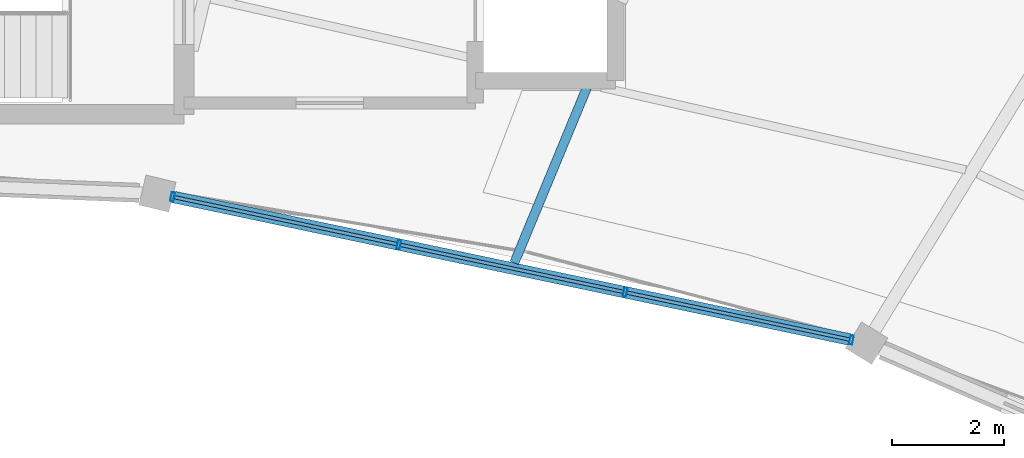
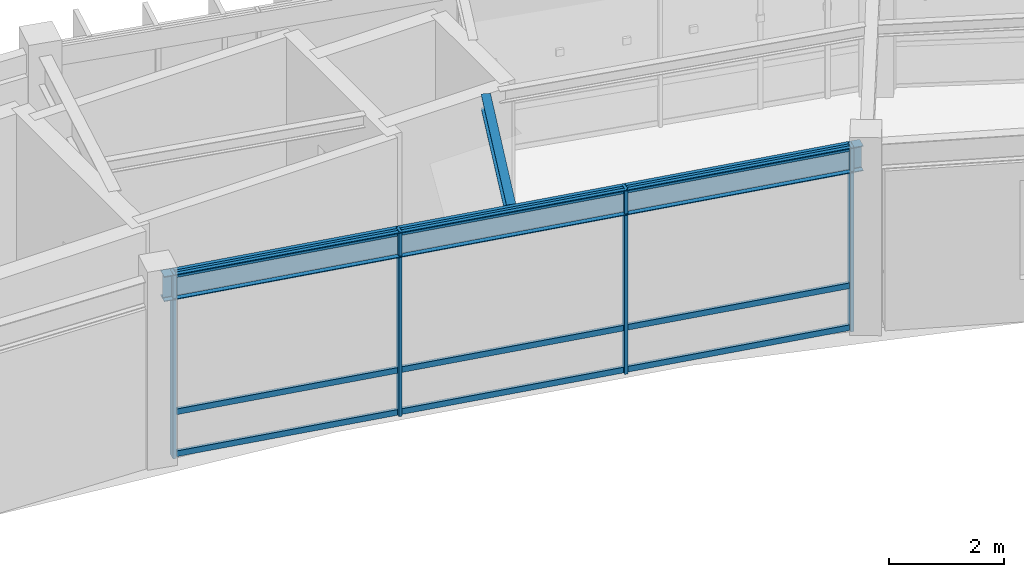
# One storey, part 46 of 83: 13 members, 2 beams, 1 element without a shape of its own.
"""IFC4 building model written with IfcOpenShell, lengths in metres."""

from ifc_helpers import new_model, si_unit, direction, frame, origin, origin_2d, place, context, subcontext, project, spatial, hollow_rectangle, i_section, extrude, material, material_profile, profile_set, type_object, element, aggregate, save


model = new_model("IFC4")

# Units and contexts
model_context = context("Model", 3, precision=1e-05, world=origin(), true_north=direction((0.0, 1.0)))
body_context = subcontext(model_context, "Body", "Model", "MODEL_VIEW")
ifc_project = project(units=[si_unit("LENGTHUNIT", "METRE"), si_unit("AREAUNIT", "SQUARE_METRE"), si_unit("VOLUMEUNIT", "CUBIC_METRE"), si_unit("PLANEANGLEUNIT", "RADIAN"), si_unit("MASSUNIT", "GRAM", prefix="KILO"), si_unit("THERMODYNAMICTEMPERATUREUNIT", "KELVIN"), si_unit("POWERUNIT", "WATT")], contexts=[model_context])

# Site, building, storey
site_placement = place(None, origin())
site = spatial("IfcSite", under=ifc_project, at=site_placement, CompositionType="ELEMENT")
building_placement = place(site_placement, origin())
building = spatial("IfcBuilding", under=site, at=building_placement, Name="Darbajah Civic Hall", CompositionType="ELEMENT")
storey_placement = place(building_placement, frame((0.0, 0.0, 18.0)))
storey = spatial("IfcBuildingStorey", under=building, at=storey_placement, Name="L04", CompositionType="ELEMENT", Elevation=18.0)

# Curtain wall, members
ifc_material_1 = material(Name="Anodised Bronze Aluminium and Low-E Glazing", Category="aluminium")
curtain_wall_type = type_object("IfcCurtainWallType", Name="Unitised Curtain Wall CW-65 12400x3900", PredefinedType="USERDEFINED", material=ifc_material_1)
curtain_wall_placement = place(storey_placement, origin())
curtain_wall = element("IfcCurtainWall", 1, at=curtain_wall_placement, inside=storey, type_object=curtain_wall_type, Name="L04 unitised curtain wall CW-V1I-L04-03", ObjectType="UNITISED CURTAIN WALL", PredefinedType="USERDEFINED")
ifc_material_2 = material(Name="Anodised Bronze Aluminium", Category="aluminium")
ifc_material_profile_1 = material_profile(ifc_material_2, hollow_rectangle(XDim=0.06005859375, YDim=0.159912109375, WallThickness=0.00341796875, at=origin_2d()), Name="ALU MULLION 60x160")
ifc_profile_set_1 = profile_set([ifc_material_profile_1], Name="Anodised Bronze Aluminium")
member_type_1 = type_object("IfcMemberType", Name="ALU MULLION 60x160", PredefinedType="MULLION", material=ifc_profile_set_1)
member_1_placement = place(storey_placement, frame((111.71435546875, 108.87109375, 0.0), z_axis=(0.0, 0.0, 1.0), x_axis=(-0.978472980779, 0.206374964291, 0.0)))
member_1 = element("IfcMember", 2, at=member_1_placement, type_object=member_type_1, Name="CW-V1I-L04-03 mullion 1", PredefinedType="MULLION", context=body_context, shape_type="SweptSolid", body=[
    extrude(hollow_rectangle(XDim=0.06005859375, YDim=0.159912109375, WallThickness=0.00341796875, at=origin_2d()), origin(), (0.0, 0.0, 1.0), 3.919921875),
])
member_2_placement = place(storey_placement, frame((107.6748046875, 109.722900390625, 0.0), z_axis=(0.0, 0.0, 1.0), x_axis=(-0.978472980779, 0.206374964291, 0.0)))
member_2 = element("IfcMember", 3, at=member_2_placement, type_object=member_type_1, Name="CW-V1I-L04-03 mullion 2", PredefinedType="MULLION", context=body_context, shape_type="SweptSolid", body=[
    extrude(hollow_rectangle(XDim=0.06005859375, YDim=0.159912109375, WallThickness=0.00341796875, at=origin_2d()), origin(), (0.0, 0.0, 1.0), 3.919921875),
])
member_3_placement = place(storey_placement, frame((103.635498046875, 110.57470703125, 0.0), z_axis=(0.0, 0.0, 1.0), x_axis=(-0.978472980779, 0.206374964291, 0.0)))
member_3 = element("IfcMember", 4, at=member_3_placement, type_object=member_type_1, Name="CW-V1I-L04-03 mullion 3", PredefinedType="MULLION", context=body_context, shape_type="SweptSolid", body=[
    extrude(hollow_rectangle(XDim=0.06005859375, YDim=0.159912109375, WallThickness=0.00341796875, at=origin_2d()), origin(), (0.0, 0.0, 1.0), 3.919921875),
])
member_4_placement = place(storey_placement, frame((99.595947265625, 111.426513671875, 0.0), z_axis=(0.0, 0.0, 1.0), x_axis=(-0.978472980779, 0.206374964291, 0.0)))
member_4 = element("IfcMember", 5, at=member_4_placement, type_object=member_type_1, Name="CW-V1I-L04-03 mullion 4", PredefinedType="MULLION", context=body_context, shape_type="SweptSolid", body=[
    extrude(hollow_rectangle(XDim=0.06005859375, YDim=0.159912109375, WallThickness=0.00341796875, at=origin_2d()), origin(), (0.0, 0.0, 1.0), 3.919921875),
])
ifc_material_profile_2 = material_profile(ifc_material_2, hollow_rectangle(XDim=0.06005859375, YDim=0.1201171875, WallThickness=0.003173828125, at=origin_2d()), Name="ALU TRANSOM 60x120")
ifc_profile_set_2 = profile_set([ifc_material_profile_2], Name="Anodised Bronze Aluminium")
member_type_2 = type_object("IfcMemberType", Name="ALU TRANSOM 60x120", PredefinedType="USERDEFINED", material=ifc_profile_set_2)
member_5_placement = place(storey_placement, frame((111.68017578125, 108.87841796875, 0.06005859375), z_axis=(-0.978482077731, 0.20633182876, 0.0), x_axis=(-0.20633182876, -0.978482077731, 0.0)))
member_5 = element("IfcMember", 6, at=member_5_placement, type_object=member_type_2, Name="CW-V1I-L04-03 transom 1.1", ObjectType="TRANSOM", PredefinedType="USERDEFINED", context=body_context, shape_type="SweptSolid", body=[
    extrude(hollow_rectangle(XDim=0.06005859375, YDim=0.1201171875, WallThickness=0.003173828125, at=origin_2d()), origin(), (0.0, 0.0, 1.0), 4.05859375),
])
member_6_placement = place(storey_placement, frame((111.68017578125, 108.87841796875, 0.949951171875), z_axis=(-0.978482077731, 0.20633182876, 0.0), x_axis=(-0.20633182876, -0.978482077731, 0.0)))
member_6 = element("IfcMember", 7, at=member_6_placement, type_object=member_type_2, Name="CW-V1I-L04-03 transom 1.2", ObjectType="TRANSOM", PredefinedType="USERDEFINED", context=body_context, shape_type="SweptSolid", body=[
    extrude(hollow_rectangle(XDim=0.06005859375, YDim=0.1201171875, WallThickness=0.003173828125, at=origin_2d()), origin(), (0.0, 0.0, 1.0), 4.05859375),
])
member_7_placement = place(storey_placement, frame((111.68017578125, 108.87841796875, 3.860107421875), z_axis=(-0.978482077731, 0.20633182876, 0.0), x_axis=(-0.20633182876, -0.978482077731, 0.0)))
member_7 = element("IfcMember", 8, at=member_7_placement, type_object=member_type_2, Name="CW-V1I-L04-03 transom 1.3", ObjectType="TRANSOM", PredefinedType="USERDEFINED", context=body_context, shape_type="SweptSolid", body=[
    extrude(hollow_rectangle(XDim=0.06005859375, YDim=0.1201171875, WallThickness=0.003173828125, at=origin_2d()), origin(), (0.0, 0.0, 1.0), 4.05859375),
])
member_8_placement = place(storey_placement, frame((107.640625, 109.730224609375, 0.06005859375), z_axis=(-0.978491661211, 0.20628637604, 0.0), x_axis=(-0.20628637604, -0.978491661211, 0.0)))
member_8 = element("IfcMember", 9, at=member_8_placement, type_object=member_type_2, Name="CW-V1I-L04-03 transom 2.1", ObjectType="TRANSOM", PredefinedType="USERDEFINED", context=body_context, shape_type="SweptSolid", body=[
    extrude(hollow_rectangle(XDim=0.06005859375, YDim=0.1201171875, WallThickness=0.003173828125, at=origin_2d()), origin(), (0.0, 0.0, 1.0), 4.058349609375),
])
member_9_placement = place(storey_placement, frame((107.640625, 109.730224609375, 0.949951171875), z_axis=(-0.978491661211, 0.20628637604, 0.0), x_axis=(-0.20628637604, -0.978491661211, 0.0)))
member_9 = element("IfcMember", 10, at=member_9_placement, type_object=member_type_2, Name="CW-V1I-L04-03 transom 2.2", ObjectType="TRANSOM", PredefinedType="USERDEFINED", context=body_context, shape_type="SweptSolid", body=[
    extrude(hollow_rectangle(XDim=0.06005859375, YDim=0.1201171875, WallThickness=0.003173828125, at=origin_2d()), origin(), (0.0, 0.0, 1.0), 4.058349609375),
])
member_10_placement = place(storey_placement, frame((107.640625, 109.730224609375, 3.860107421875), z_axis=(-0.978491661211, 0.20628637604, 0.0), x_axis=(-0.20628637604, -0.978491661211, 0.0)))
member_10 = element("IfcMember", 11, at=member_10_placement, type_object=member_type_2, Name="CW-V1I-L04-03 transom 2.3", ObjectType="TRANSOM", PredefinedType="USERDEFINED", context=body_context, shape_type="SweptSolid", body=[
    extrude(hollow_rectangle(XDim=0.06005859375, YDim=0.1201171875, WallThickness=0.003173828125, at=origin_2d()), origin(), (0.0, 0.0, 1.0), 4.058349609375),
])
member_11_placement = place(storey_placement, frame((103.601318359375, 110.58203125, 0.06005859375), z_axis=(-0.978482077731, 0.20633182876, 0.0), x_axis=(-0.20633182876, -0.978482077731, 0.0)))
member_11 = element("IfcMember", 12, at=member_11_placement, type_object=member_type_2, Name="CW-V1I-L04-03 transom 3.1", ObjectType="TRANSOM", PredefinedType="USERDEFINED", context=body_context, shape_type="SweptSolid", body=[
    extrude(hollow_rectangle(XDim=0.06005859375, YDim=0.1201171875, WallThickness=0.003173828125, at=origin_2d()), origin(), (0.0, 0.0, 1.0), 4.05859375),
])
member_12_placement = place(storey_placement, frame((103.601318359375, 110.58203125, 0.949951171875), z_axis=(-0.978482077731, 0.20633182876, 0.0), x_axis=(-0.20633182876, -0.978482077731, 0.0)))
member_12 = element("IfcMember", 13, at=member_12_placement, type_object=member_type_2, Name="CW-V1I-L04-03 transom 3.2", ObjectType="TRANSOM", PredefinedType="USERDEFINED", context=body_context, shape_type="SweptSolid", body=[
    extrude(hollow_rectangle(XDim=0.06005859375, YDim=0.1201171875, WallThickness=0.003173828125, at=origin_2d()), origin(), (0.0, 0.0, 1.0), 4.05859375),
])
member_13_placement = place(storey_placement, frame((103.601318359375, 110.58203125, 3.860107421875), z_axis=(-0.978482077731, 0.20633182876, 0.0), x_axis=(-0.20633182876, -0.978482077731, 0.0)))
member_13 = element("IfcMember", 14, at=member_13_placement, type_object=member_type_2, Name="CW-V1I-L04-03 transom 3.3", ObjectType="TRANSOM", PredefinedType="USERDEFINED", context=body_context, shape_type="SweptSolid", body=[
    extrude(hollow_rectangle(XDim=0.06005859375, YDim=0.1201171875, WallThickness=0.003173828125, at=origin_2d()), origin(), (0.0, 0.0, 1.0), 4.05859375),
])
aggregate(curtain_wall, [member_1, member_2, member_3, member_4, member_5, member_6, member_7, member_8, member_9, member_10, member_11, member_12, member_13])

# Beams
ifc_material_3 = material(Name="Steel S355JR", Category="steel")
ifc_material_profile_3 = material_profile(ifc_material_3, i_section(OverallWidth=0.165771484375, OverallDepth=0.306640625, WebThickness=0.006591796875, FlangeThickness=0.01171875, FilletRadius=0.0087890625, at=origin_2d()), Name="UB 305x165x46")
ifc_profile_set_3 = profile_set([ifc_material_profile_3], Name="Steel S355JR")
beam_type_1 = type_object("IfcBeamType", Name="UB 305x165x46", PredefinedType="JOIST", material=ifc_profile_set_3)
beam_1_placement = place(storey_placement, frame((105.69580078125, 110.246826171875, 3.7666015625), z_axis=(0.382646399195, 0.923894871283, 0.0), x_axis=(-0.923894871283, 0.382646399195, 0.0)))
element("IfcBeam", 15, at=beam_1_placement, inside=storey, type_object=beam_type_1, Name="L04 beam SJ-305", PredefinedType="JOIST", context=body_context, shape_type="SweptSolid", body=[
    extrude(i_section(OverallWidth=0.165771484375, OverallDepth=0.306640625, WebThickness=0.006591796875, FlangeThickness=0.01171875, FilletRadius=0.0087890625, at=origin_2d()), origin(), (0.0, 0.0, 1.0), 3.39111328125),
])
ifc_material_profile_4 = material_profile(ifc_material_3, i_section(OverallWidth=0.209228515625, OverallDepth=0.533203125, WebThickness=0.010009765625, FlangeThickness=0.015625, FilletRadius=0.0126953125, at=origin_2d()), Name="UB 533x210x92")
ifc_profile_set_4 = profile_set([ifc_material_profile_4], Name="Steel S355JR")
beam_type_2 = type_object("IfcBeamType", Name="UB 533x210x92", PredefinedType="BEAM", material=ifc_profile_set_4)
beam_2_placement = place(storey_placement, frame((111.906982421875, 108.830322265625, 3.653564453125), z_axis=(-0.978476951565, 0.206356136949, 0.0), x_axis=(-0.206356136949, -0.978476951565, 0.0)))
element("IfcBeam", 16, at=beam_2_placement, inside=storey, type_object=beam_type_2, Name="L04 beam SB-533", PredefinedType="BEAM", context=body_context, shape_type="SweptSolid", body=[
    extrude(i_section(OverallWidth=0.209228515625, OverallDepth=0.533203125, WebThickness=0.010009765625, FlangeThickness=0.015625, FilletRadius=0.0126953125, at=origin_2d()), origin(), (0.0, 0.0, 1.0), 12.77880859375),
])

save(model, "model.ifc")
